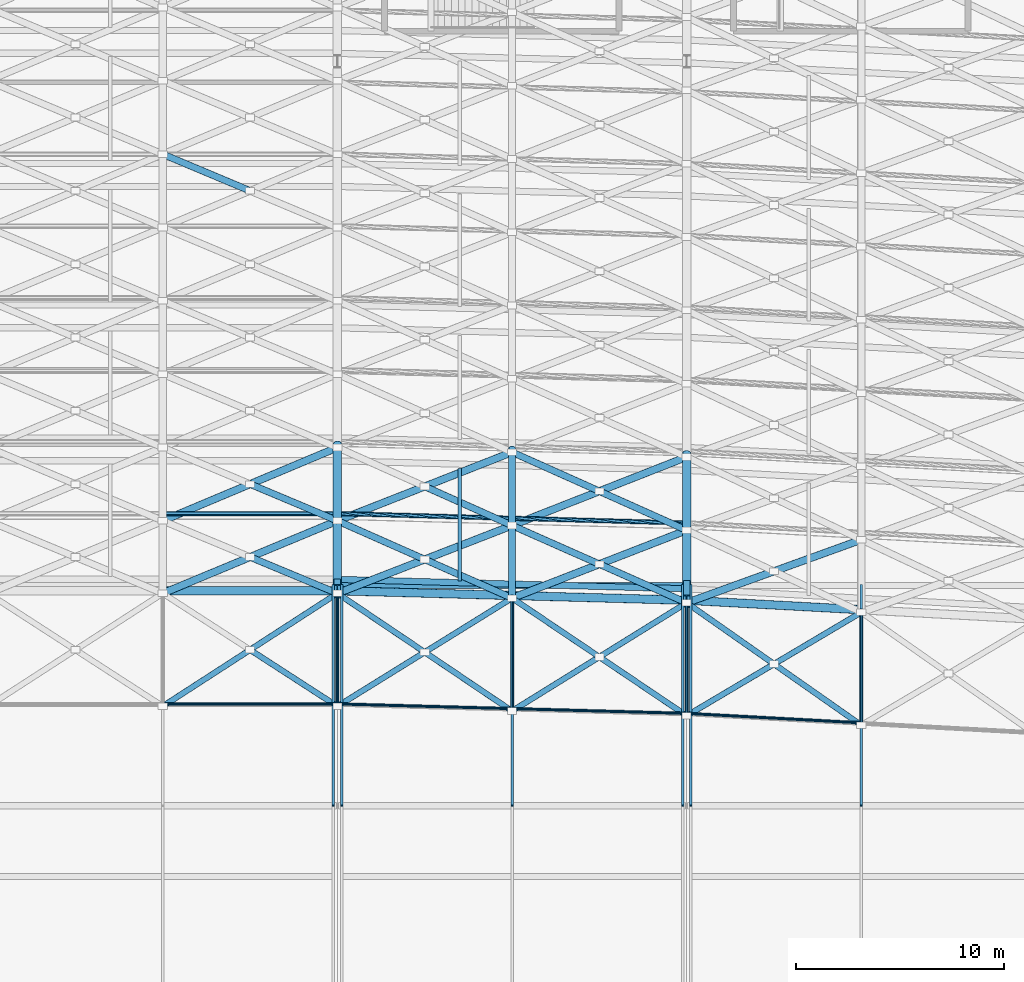
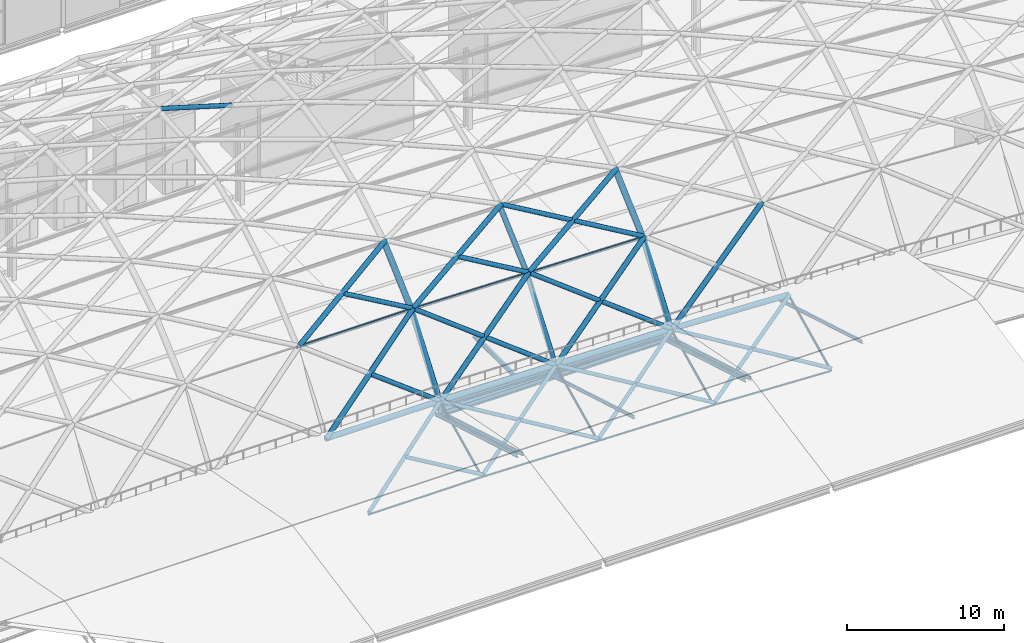
# One storey, part 20 of 100: 57 members, 3 beams.
"""IFC4 building model written with IfcOpenShell, lengths in metres."""

from ifc_helpers import new_model, si_unit, direction, frame, origin, origin_2d, place, context, subcontext, project, spatial, hollow_circle, i_section, extrude, material, material_profile, profile_set, type_object, element, save


model = new_model("IFC4")

# Units and contexts
model_context = context("Model", 3, precision=1e-05, world=origin(), true_north=direction((0.0, 1.0)))
body_context = subcontext(model_context, "Body", "Model", "MODEL_VIEW")
ifc_project = project(units=[si_unit("LENGTHUNIT", "METRE"), si_unit("AREAUNIT", "SQUARE_METRE"), si_unit("VOLUMEUNIT", "CUBIC_METRE"), si_unit("PLANEANGLEUNIT", "RADIAN"), si_unit("MASSUNIT", "GRAM", prefix="KILO")], contexts=[model_context])

# Site, building, storey
site_placement = place(None, origin())
site = spatial("IfcSite", under=ifc_project, at=site_placement, CompositionType="ELEMENT")
building_placement = place(site_placement, origin())
building = spatial("IfcBuilding", under=site, at=building_placement, Name="Kimbaza Rail Terminus", CompositionType="ELEMENT")
storey_placement = place(building_placement, frame((0.0, 0.0, 10.800048828125)))
storey = spatial("IfcBuildingStorey", under=building, at=storey_placement, Name="L02", CompositionType="ELEMENT", Elevation=10.800048828125)

# Beams
ifc_material_1 = material(Name="Steel S355", Category="steel")
ifc_material_profile_1 = material_profile(ifc_material_1, i_section(OverallWidth=0.300048828125, OverallDepth=0.43994140625, WebThickness=0.011474609375, FlangeThickness=0.02099609375, FilletRadius=0.027099609375, at=origin_2d()), Name="HEA 450")
ifc_profile_set_1 = profile_set([ifc_material_profile_1], Name="Steel S355")
beam_type_1 = type_object("IfcBeamType", Name="STR-BM-HEA450", PredefinedType="SPANDREL", material=ifc_profile_set_1)
beam_1_placement = place(storey_placement, frame((122.5458984375, 55.0, -1.179931640625), z_axis=(1.0, 0.0, 0.0), x_axis=(0.0, 1.0, 0.0)))
element("IfcBeam", 1, at=beam_1_placement, inside=storey, type_object=beam_type_1, Name="Beam BM-SKYEDGE-55-4", PredefinedType="SPANDREL", context=body_context, shape_type="SweptSolid", body=[
    extrude(i_section(OverallWidth=0.300048828125, OverallDepth=0.43994140625, WebThickness=0.011474609375, FlangeThickness=0.02099609375, FilletRadius=0.027099609375, at=origin_2d()), origin(), (0.0, 0.0, 1.0), 16.508056640625),
])
ifc_material_2 = material(Name="Steel S355", Category="steel")
ifc_material_profile_2 = material_profile(ifc_material_2, i_section(OverallWidth=0.300048828125, OverallDepth=0.64990234375, WebThickness=0.01611328125, FlangeThickness=0.031005859375, FilletRadius=0.027099609375, at=origin_2d()), Name="HEB 650")
ifc_profile_set_2 = profile_set([ifc_material_profile_2], Name="Steel S355")
beam_type_2 = type_object("IfcBeamType", Name="STR-BM-HEB650", PredefinedType="USERDEFINED", material=ifc_profile_set_2)
beam_2_placement = place(storey_placement, frame((122.544921875, 55.2890625, -0.5849609375), z_axis=(0.999632852013, -0.027095408765, 0.0), x_axis=(0.027095408765, 0.999632852013, 0.0)))
element("IfcBeam", 2, at=beam_2_placement, inside=storey, type_object=beam_type_2, Name="Viaduct Chorded Girder P1 Bay 07", ObjectType="GIRDER", PredefinedType="USERDEFINED", context=body_context, shape_type="SweptSolid", body=[
    extrude(i_section(OverallWidth=0.300048828125, OverallDepth=0.64990234375, WebThickness=0.01611328125, FlangeThickness=0.031005859375, FilletRadius=0.027099609375, at=origin_2d()), origin(), (0.0, 0.0, 1.0), 16.51611328125),
])
ifc_material_3 = material(Name="Steel S355", Category="steel")
ifc_material_profile_3 = material_profile(ifc_material_3, i_section(OverallWidth=0.169921875, OverallDepth=0.360107421875, WebThickness=0.008056640625, FlangeThickness=0.0126953125, FilletRadius=0.01806640625, at=origin_2d()), Name="IPE 360")
ifc_profile_set_3 = profile_set([ifc_material_profile_3], Name="Steel S355")
beam_type_3 = type_object("IfcBeamType", Name="STR-BM-IPE360", PredefinedType="JOIST", material=ifc_profile_set_3)
beam_3_placement = place(storey_placement, frame((128.280029296875, 55.21044921875, -0.43994140625), z_axis=(0.0, 1.0, 0.0), x_axis=(-1.0, 0.0, 0.0)))
element("IfcBeam", 3, at=beam_3_placement, inside=storey, type_object=beam_type_3, Name="Viaduct Diaphragm P1 Bay 07", PredefinedType="JOIST", context=body_context, shape_type="SweptSolid", body=[
    extrude(i_section(OverallWidth=0.169921875, OverallDepth=0.360107421875, WebThickness=0.008056640625, FlangeThickness=0.0126953125, FilletRadius=0.01806640625, at=origin_2d()), origin(), (0.0, 0.0, 1.0), 5.409912109375),
])

# Members
ifc_material_4 = material(Name="White painted steel S355", Category="steel")
ifc_material_profile_4 = material_profile(ifc_material_4, hollow_circle(Radius=0.06982421875, WallThickness=0.00634765625, at=origin_2d()), Name="CHS 139.7x6.3")
ifc_profile_set_4 = profile_set([ifc_material_profile_4], Name="White painted steel S355")
member_type_1 = type_object("IfcMemberType", Name="STR-MB-CHS139", PredefinedType="COLLAR", material=ifc_profile_set_4)
member_1_placement = place(storey_placement, frame((114.0, 49.301025390625, -2.62744140625), z_axis=(1.0, 0.0, 0.0), x_axis=(0.0, 1.0, 0.0)))
element("IfcMember", 4, at=member_1_placement, inside=storey, type_object=member_type_1, Name="Vault lattice longitudinal purlin VR-11-VA00", PredefinedType="COLLAR", context=body_context, shape_type="SweptSolid", body=[
    extrude(hollow_circle(Radius=0.06982421875, WallThickness=0.00634765625, at=origin_2d()), origin(), (0.0, 0.0, 1.0), 8.39990234375),
])
member_2_placement = place(storey_placement, frame((122.39990234375, 49.301025390625, -2.62744140625), z_axis=(0.999632548307, -0.027106611084, 0.0), x_axis=(0.027106611084, 0.999632548307, 0.0)))
element("IfcMember", 5, at=member_2_placement, inside=storey, type_object=member_type_1, Name="Vault lattice longitudinal purlin VR-12-VA00", PredefinedType="COLLAR", context=body_context, shape_type="SweptSolid", body=[
    extrude(hollow_circle(Radius=0.06982421875, WallThickness=0.00634765625, at=origin_2d()), origin(), (0.0, 0.0, 1.0), 8.4033203125),
])
member_3_placement = place(storey_placement, frame((130.800048828125, 49.0732421875, -2.62744140625), z_axis=(0.999632526959, -0.027107398351, 0.0), x_axis=(0.027107398351, 0.999632526959, 0.0)))
element("IfcMember", 6, at=member_3_placement, inside=storey, type_object=member_type_1, Name="Vault lattice longitudinal purlin VR-13-VA00", PredefinedType="COLLAR", context=body_context, shape_type="SweptSolid", body=[
    extrude(hollow_circle(Radius=0.06982421875, WallThickness=0.00634765625, at=origin_2d()), origin(), (0.0, 0.0, 1.0), 8.403076171875),
])
member_4_placement = place(storey_placement, frame((139.199951171875, 48.845458984375, -2.62744140625), z_axis=(0.998531049137, -0.054182505558, 0.0), x_axis=(0.054182505558, 0.998531049137, 0.0)))
element("IfcMember", 7, at=member_4_placement, inside=storey, type_object=member_type_1, Name="Vault lattice longitudinal purlin VR-14-VA00", PredefinedType="COLLAR", context=body_context, shape_type="SweptSolid", body=[
    extrude(hollow_circle(Radius=0.06982421875, WallThickness=0.00634765625, at=origin_2d()), origin(), (0.0, 0.0, 1.0), 8.41259765625),
])
ifc_material_5 = material(Name="White painted steel S355", Category="steel")
ifc_material_profile_5 = material_profile(ifc_material_5, hollow_circle(Radius=0.084228515625, WallThickness=0.00634765625, at=origin_2d()), Name="CHS 168.3x6.3")
ifc_profile_set_5 = profile_set([ifc_material_profile_5], Name="White painted steel S355")
member_type_2 = type_object("IfcMemberType", Name="STR-MB-CHS168", PredefinedType="RAFTER", material=ifc_profile_set_5)
for number, where, z_axis, x_axis, name in (
    (8, (122.39990234375, 49.292724609375, -2.609375), (0.0, 0.901963905621, 0.431811432174), (-1.0, 0.0, 0.0), "Vault lattice arch chord VR-12 seg 1"),
    (9, (130.800048828125, 49.06494140625, -2.609375), (0.0, 0.901963905621, 0.431811432174), (-1.0, 0.0, 0.0), "Vault lattice arch chord VR-13 seg 1"),
    (10, (139.199951171875, 48.837158203125, -2.609375), (0.0, 0.901963905621, 0.431811432174), (-1.0, 0.0, 0.0), "Vault lattice arch chord VR-14 seg 1"),
    (11, (147.60009765625, 48.38134765625, -2.609375), (0.0, 0.901963905621, 0.431811432174), (-1.0, 0.0, 0.0), "Vault lattice arch chord VR-15 seg 1"),
):
    element("IfcMember", number, at=place(storey_placement, frame(where, z_axis=z_axis, x_axis=x_axis)), inside=storey, type_object=member_type_2, Name=name, PredefinedType="RAFTER", context=body_context, shape_type="SweptSolid", body=[
        extrude(hollow_circle(Radius=0.084228515625, WallThickness=0.00634765625, at=origin_2d()), origin(), (0.0, 0.0, 1.0), 6.04296875),
    ])
ifc_material_6 = material(Name="White painted steel S355", Category="steel")
ifc_material_profile_6 = material_profile(ifc_material_6, hollow_circle(Radius=0.109619140625, WallThickness=0.008056640625, at=origin_2d()), Name="CHS 219.1x8")
ifc_profile_set_6 = profile_set([ifc_material_profile_6], Name="White painted steel S355")
member_type_3 = type_object("IfcMemberType", Name="STR-MB-CHS219", PredefinedType="PURLIN", material=ifc_profile_set_6)
member_5_placement = place(storey_placement, frame((114.0, 58.4580078125, 4.85205078125), z_axis=(1.0, 0.0, 0.0), x_axis=(0.0, 1.0, 0.0)))
element("IfcMember", 12, at=member_5_placement, inside=storey, type_object=member_type_3, Name="Vault lattice longitudinal purlin VR-11-VA02", PredefinedType="PURLIN", context=body_context, shape_type="SweptSolid", body=[
    extrude(hollow_circle(Radius=0.109619140625, WallThickness=0.008056640625, at=origin_2d()), origin(), (0.0, 0.0, 1.0), 8.39990234375),
])
member_6_placement = place(storey_placement, frame((122.39990234375, 58.4580078125, 4.85205078125), z_axis=(0.999632548307, -0.027106611084, 0.0), x_axis=(0.027106611084, 0.999632548307, 0.0)))
element("IfcMember", 13, at=member_6_placement, inside=storey, type_object=member_type_3, Name="Vault lattice longitudinal purlin VR-12-VA02", PredefinedType="PURLIN", context=body_context, shape_type="SweptSolid", body=[
    extrude(hollow_circle(Radius=0.109619140625, WallThickness=0.008056640625, at=origin_2d()), origin(), (0.0, 0.0, 1.0), 8.4033203125),
])
member_7_placement = place(storey_placement, frame((130.800048828125, 58.230224609375, 4.85205078125), z_axis=(0.999632526959, -0.027107398351, 0.0), x_axis=(0.027107398351, 0.999632526959, 0.0)))
element("IfcMember", 14, at=member_7_placement, inside=storey, type_object=member_type_3, Name="Vault lattice longitudinal purlin VR-13-VA02", PredefinedType="PURLIN", context=body_context, shape_type="SweptSolid", body=[
    extrude(hollow_circle(Radius=0.109619140625, WallThickness=0.008056640625, at=origin_2d()), origin(), (0.0, 0.0, 1.0), 8.403076171875),
])
ifc_material_7 = material(Name="White painted steel S355", Category="steel")
ifc_material_profile_7 = material_profile(ifc_material_7, hollow_circle(Radius=0.136474609375, WallThickness=0.010009765625, at=origin_2d()), Name="CHS 273x10")
ifc_profile_set_7 = profile_set([ifc_material_profile_7], Name="White painted steel S355")
member_type_4 = type_object("IfcMemberType", Name="STR-MB-CHS273", PredefinedType="STRUT", material=ifc_profile_set_7)
member_8_placement = place(storey_placement, frame((114.0, 49.185302734375, -2.37255859375), z_axis=(0.815803362822, 0.527690049398, 0.236660273334), x_axis=(-0.543118714123, 0.839655919034, 0.0)))
element("IfcMember", 15, at=member_8_placement, inside=storey, type_object=member_type_4, Name="Vault lattice diagonal A VR-11-VA00", PredefinedType="STRUT", context=body_context, shape_type="SweptSolid", body=[
    extrude(hollow_circle(Radius=0.136474609375, WallThickness=0.010009765625, at=origin_2d()), origin(), (0.0, 0.0, 1.0), 10.29638671875),
])
member_9_placement = place(storey_placement, frame((122.39990234375, 49.185302734375, -2.37255859375), z_axis=(-0.815818148035, 0.527675901481, 0.236640850938), x_axis=(-0.543101508179, -0.839667048189, 0.0)))
element("IfcMember", 16, at=member_9_placement, inside=storey, type_object=member_type_4, Name="Vault lattice diagonal B1 VR-11-VA00", PredefinedType="STRUT", context=body_context, shape_type="SweptSolid", body=[
    extrude(hollow_circle(Radius=0.136474609375, WallThickness=0.010009765625, at=origin_2d()), origin(), (0.0, 0.0, 1.0), 5.148193359375),
])
member_10_placement = place(storey_placement, frame((122.39990234375, 49.185302734375, -2.37255859375), z_axis=(0.825297852894, 0.511436650083, 0.239407616756), x_axis=(-0.526755137997, 0.850017073119, 0.0)))
element("IfcMember", 17, at=member_10_placement, inside=storey, type_object=member_type_4, Name="Vault lattice diagonal A VR-12-VA00", PredefinedType="STRUT", context=body_context, shape_type="SweptSolid", body=[
    extrude(hollow_circle(Radius=0.136474609375, WallThickness=0.010009765625, at=origin_2d()), origin(), (0.0, 0.0, 1.0), 10.17822265625),
])
member_11_placement = place(storey_placement, frame((130.800048828125, 48.95751953125, -2.37255859375), z_axis=(-0.806255082297, 0.543377400695, 0.233866933713), x_axis=(-0.5588758014, -0.829251372389, 0.0)))
element("IfcMember", 18, at=member_11_placement, inside=storey, type_object=member_type_4, Name="Vault lattice diagonal B1 VR-12-VA00", PredefinedType="STRUT", context=body_context, shape_type="SweptSolid", body=[
    extrude(hollow_circle(Radius=0.136474609375, WallThickness=0.010009765625, at=origin_2d()), origin(), (0.0, 0.0, 1.0), 5.209228515625),
])
member_12_placement = place(storey_placement, frame((126.60009765625, 51.7880859375, -1.154296875), z_axis=(-0.806262645297, 0.543350913135, 0.233902398435), x_axis=(-0.558853462072, -0.829266427591, 0.0)))
element("IfcMember", 19, at=member_12_placement, inside=storey, type_object=member_type_4, Name="Vault lattice diagonal B2 VR-12-VA00", PredefinedType="STRUT", context=body_context, shape_type="SweptSolid", body=[
    extrude(hollow_circle(Radius=0.136474609375, WallThickness=0.010009765625, at=origin_2d()), origin(), (0.0, 0.0, 1.0), 5.20947265625),
])
member_13_placement = place(storey_placement, frame((130.800048828125, 48.95751953125, -2.37255859375), z_axis=(0.825280079129, 0.511464486638, 0.23940941899), x_axis=(-0.52678404942, 0.849999156045, 0.0)))
element("IfcMember", 20, at=member_13_placement, inside=storey, type_object=member_type_4, Name="Vault lattice diagonal A VR-13-VA00", PredefinedType="STRUT", context=body_context, shape_type="SweptSolid", body=[
    extrude(hollow_circle(Radius=0.136474609375, WallThickness=0.010009765625, at=origin_2d()), origin(), (0.0, 0.0, 1.0), 10.17822265625),
])
for number, where, z_axis, x_axis, name in (
    (21, (139.199951171875, 48.729736328125, -2.37255859375), (-0.806255082297, 0.543377400695, 0.233866933713), (-0.5588758014, -0.829251372389, 0.0), "Vault lattice diagonal B1 VR-13-VA00"),
    (22, (135.0, 51.560302734375, -1.154296875), (-0.806246244461, 0.543371444416, 0.233911236767), (-0.5588758014, -0.829251372389, 0.0), "Vault lattice diagonal B2 VR-13-VA00"),
):
    element("IfcMember", number, at=place(storey_placement, frame(where, z_axis=z_axis, x_axis=x_axis)), inside=storey, type_object=member_type_4, Name=name, PredefinedType="STRUT", context=body_context, shape_type="SweptSolid", body=[
        extrude(hollow_circle(Radius=0.136474609375, WallThickness=0.010009765625, at=origin_2d()), origin(), (0.0, 0.0, 1.0), 5.209228515625),
    ])
member_14_placement = place(storey_placement, frame((139.199951171875, 48.729736328125, -2.37255859375), z_axis=(0.834705311584, 0.494607838305, 0.242136591825), x_axis=(-0.50977771628, 0.860306154799, 0.0)))
element("IfcMember", 23, at=member_14_placement, inside=storey, type_object=member_type_4, Name="Vault lattice diagonal A VR-14-VA00", PredefinedType="STRUT", context=body_context, shape_type="SweptSolid", body=[
    extrude(hollow_circle(Radius=0.136474609375, WallThickness=0.010009765625, at=origin_2d()), origin(), (0.0, 0.0, 1.0), 10.063720703125),
])
for number, where, z_axis, x_axis, name in (
    (24, (147.60009765625, 48.27392578125, -2.37255859375), (-0.79666468881, 0.558508068574, 0.231071657589), (-0.574043561983, -0.818824760829, 0.0), "Vault lattice diagonal B1 VR-14-VA00"),
    (25, (143.39990234375, 51.218505859375, -1.154296875), (-0.79661864066, 0.558554556975, 0.231118039617), (-0.574097844194, -0.818786703172, 0.0), "Vault lattice diagonal B2 VR-14-VA00"),
):
    element("IfcMember", number, at=place(storey_placement, frame(where, z_axis=z_axis, x_axis=x_axis)), inside=storey, type_object=member_type_4, Name=name, PredefinedType="STRUT", context=body_context, shape_type="SweptSolid", body=[
        extrude(hollow_circle(Radius=0.136474609375, WallThickness=0.010009765625, at=origin_2d()), origin(), (0.0, 0.0, 1.0), 5.272216796875),
    ])
ifc_material_8 = material(Name="White painted steel S355", Category="steel")
ifc_material_profile_8 = material_profile(ifc_material_8, hollow_circle(Radius=0.161865234375, WallThickness=0.010009765625, at=origin_2d()), Name="CHS 323.9x10")
ifc_profile_set_8 = profile_set([ifc_material_profile_8], Name="White painted steel S355")
member_type_5 = type_object("IfcMemberType", Name="STR-MB-CHS323", PredefinedType="STRUT", material=ifc_profile_set_8)
member_15_placement = place(storey_placement, frame((122.39990234375, 54.61865234375, 0.064208984375), z_axis=(-0.805330579111, 0.334715668235, 0.489293449565), x_axis=(-0.383795774212, -0.923418000527, 0.0)))
element("IfcMember", 26, at=member_15_placement, inside=storey, type_object=member_type_5, Name="Vault lattice diagonal B1 VR-11-VA01", PredefinedType="STRUT", context=body_context, shape_type="SweptSolid", body=[
    extrude(hollow_circle(Radius=0.161865234375, WallThickness=0.010009765625, at=origin_2d()), origin(), (0.0, 0.0, 1.0), 5.215087890625),
])
member_16_placement = place(storey_placement, frame((122.39990234375, 58.10986328125, 5.167724609375), z_axis=(-0.870455373768, 0.365426304095, 0.329804576308), x_axis=(-0.38708395067, -0.922044475681, 0.0)))
element("IfcMember", 27, at=member_16_placement, inside=storey, type_object=member_type_5, Name="Vault lattice diagonal B1 VR-11-VA02", PredefinedType="STRUT", context=body_context, shape_type="SweptSolid", body=[
    extrude(hollow_circle(Radius=0.161865234375, WallThickness=0.010009765625, at=origin_2d()), origin(), (0.0, 0.0, 1.0), 4.824951171875),
])
member_17_placement = place(storey_placement, frame((118.199951171875, 73.979736328125, 12.8486328125), z_axis=(-0.921642270206, 0.386968675097, 0.028823085588), x_axis=(-0.387129516355, -0.922025345404, 0.0)))
element("IfcMember", 28, at=member_17_placement, inside=storey, type_object=member_type_5, Name="Vault lattice diagonal B2 VR-11-VA06", PredefinedType="STRUT", context=body_context, shape_type="SweptSolid", body=[
    extrude(hollow_circle(Radius=0.161865234375, WallThickness=0.010009765625, at=origin_2d()), origin(), (0.0, 0.0, 1.0), 4.55712890625),
])
member_18_placement = place(storey_placement, frame((130.800048828125, 54.390869140625, 0.064208984375), z_axis=(-0.799326382946, 0.353872564815, 0.485645489423), x_axis=(-0.40481632977, -0.914398020094, 0.0)))
element("IfcMember", 29, at=member_18_placement, inside=storey, type_object=member_type_5, Name="Vault lattice diagonal B1 VR-12-VA01", PredefinedType="STRUT", context=body_context, shape_type="SweptSolid", body=[
    extrude(hollow_circle(Radius=0.161865234375, WallThickness=0.010009765625, at=origin_2d()), origin(), (0.0, 0.0, 1.0), 5.25439453125),
])
member_19_placement = place(storey_placement, frame((126.60009765625, 56.250244140625, 2.615966796875), z_axis=(-0.799330016507, 0.353900066015, 0.485619468294), x_axis=(-0.404841095271, -0.914387055671, 0.0)))
element("IfcMember", 30, at=member_19_placement, inside=storey, type_object=member_type_5, Name="Vault lattice diagonal B2 VR-12-VA01", PredefinedType="STRUT", context=body_context, shape_type="SweptSolid", body=[
    extrude(hollow_circle(Radius=0.161865234375, WallThickness=0.010009765625, at=origin_2d()), origin(), (0.0, 0.0, 1.0), 5.254638671875),
])
member_20_placement = place(storey_placement, frame((130.800048828125, 57.882080078125, 5.167724609375), z_axis=(-0.862798267036, 0.385633661294, 0.326903395021), x_axis=(-0.408053007434, -0.912958237338, 0.0)))
element("IfcMember", 31, at=member_20_placement, inside=storey, type_object=member_type_5, Name="Vault lattice diagonal B1 VR-12-VA02", PredefinedType="STRUT", context=body_context, shape_type="SweptSolid", body=[
    extrude(hollow_circle(Radius=0.161865234375, WallThickness=0.010009765625, at=origin_2d()), origin(), (0.0, 0.0, 1.0), 4.867919921875),
])
for number, where, z_axis, x_axis, name in (
    (32, (139.199951171875, 54.163330078125, 0.064208984375), (-0.799326382946, 0.353872564815, 0.485645489423), (-0.40481632977, -0.914398020094, 0.0), "Vault lattice diagonal B1 VR-13-VA01"),
    (33, (135.0, 56.022705078125, 2.615966796875), (-0.799326382946, 0.353872564815, 0.485645489423), (-0.40481632977, -0.914398020094, 0.0), "Vault lattice diagonal B2 VR-13-VA01"),
):
    element("IfcMember", number, at=place(storey_placement, frame(where, z_axis=z_axis, x_axis=x_axis)), inside=storey, type_object=member_type_5, Name=name, PredefinedType="STRUT", context=body_context, shape_type="SweptSolid", body=[
        extrude(hollow_circle(Radius=0.161865234375, WallThickness=0.010009765625, at=origin_2d()), origin(), (0.0, 0.0, 1.0), 5.25439453125),
    ])
for number, where, z_axis, x_axis, name in (
    (34, (139.199951171875, 57.654296875, 5.167724609375), (-0.862798267036, 0.385633661294, 0.326903395021), (-0.408053007434, -0.912958237338, 0.0), "Vault lattice diagonal B1 VR-13-VA02"),
    (35, (135.0, 59.531494140625, 6.759033203125), (-0.862798267036, 0.385633661294, 0.326903395021), (-0.408053007434, -0.912958237338, 0.0), "Vault lattice diagonal B2 VR-13-VA02"),
):
    element("IfcMember", number, at=place(storey_placement, frame(where, z_axis=z_axis, x_axis=x_axis)), inside=storey, type_object=member_type_5, Name=name, PredefinedType="STRUT", context=body_context, shape_type="SweptSolid", body=[
        extrude(hollow_circle(Radius=0.161865234375, WallThickness=0.010009765625, at=origin_2d()), origin(), (0.0, 0.0, 1.0), 4.867919921875),
    ])
ifc_material_9 = material(Name="White painted steel S355", Category="steel")
ifc_material_profile_9 = material_profile(ifc_material_9, hollow_circle(Radius=0.177734375, WallThickness=0.012451171875, at=origin_2d()), Name="CHS 355.6x12.5")
ifc_profile_set_9 = profile_set([ifc_material_profile_9], Name="White painted steel S355")
member_type_6 = type_object("IfcMemberType", Name="STR-MB-CHS355", PredefinedType="CHORD", material=ifc_profile_set_9)
member_21_placement = place(storey_placement, frame((130.800048828125, 54.515380859375, 0.0), z_axis=(0.0, 0.585733481953, 0.810503724926), x_axis=(-1.0, 0.0, 0.0)))
element("IfcMember", 36, at=member_21_placement, inside=storey, type_object=member_type_6, Name="Vault lattice arch chord VR-13 seg 2", PredefinedType="CHORD", context=body_context, shape_type="SweptSolid", body=[
    extrude(hollow_circle(Radius=0.177734375, WallThickness=0.012451171875, at=origin_2d()), origin(), (0.0, 0.0, 1.0), 6.127197265625),
])
member_22_placement = place(storey_placement, frame((130.800048828125, 58.104248046875, 4.966064453125), z_axis=(0.0, 0.742379857618, 0.669979213859), x_axis=(-1.0, 0.0, 0.0)))
element("IfcMember", 37, at=member_22_placement, inside=storey, type_object=member_type_6, Name="Vault lattice arch chord VR-13 seg 3", PredefinedType="CHORD", context=body_context, shape_type="SweptSolid", body=[
    extrude(hollow_circle(Radius=0.177734375, WallThickness=0.012451171875, at=origin_2d()), origin(), (0.0, 0.0, 1.0), 4.690673828125),
])
member_23_placement = place(storey_placement, frame((114.0, 54.61865234375, 0.064208984375), z_axis=(0.805330579111, 0.334715668235, 0.489293449565), x_axis=(-0.383795774212, 0.923418000527, 0.0)))
element("IfcMember", 38, at=member_23_placement, inside=storey, type_object=member_type_6, Name="Vault lattice diagonal A VR-11-VA01", PredefinedType="CHORD", context=body_context, shape_type="SweptSolid", body=[
    extrude(hollow_circle(Radius=0.177734375, WallThickness=0.012451171875, at=origin_2d()), origin(), (0.0, 0.0, 1.0), 10.430419921875),
])
member_24_placement = place(storey_placement, frame((114.0, 58.10986328125, 5.167724609375), z_axis=(0.870447326145, 0.365448224907, 0.329801527164), x_axis=(-0.387106733867, 0.922034910725, 0.0)))
element("IfcMember", 39, at=member_24_placement, inside=storey, type_object=member_type_6, Name="Vault lattice diagonal A VR-11-VA02", PredefinedType="CHORD", context=body_context, shape_type="SweptSolid", body=[
    extrude(hollow_circle(Radius=0.177734375, WallThickness=0.012451171875, at=origin_2d()), origin(), (0.0, 0.0, 1.0), 9.650146484375),
])
member_25_placement = place(storey_placement, frame((122.39990234375, 54.61865234375, 0.064208984375), z_axis=(0.811094429012, 0.315107368635, 0.492781060368), x_axis=(-0.362128553593, 0.93212816215, 0.0)))
element("IfcMember", 40, at=member_25_placement, inside=storey, type_object=member_type_6, Name="Vault lattice diagonal A VR-12-VA01", PredefinedType="CHORD", context=body_context, shape_type="SweptSolid", body=[
    extrude(hollow_circle(Radius=0.177734375, WallThickness=0.012451171875, at=origin_2d()), origin(), (0.0, 0.0, 1.0), 10.3564453125),
])
member_26_placement = place(storey_placement, frame((122.39990234375, 58.10986328125, 5.167724609375), z_axis=(0.877811545172, 0.34472606151, 0.332582070592), x_axis=(-0.365534354506, 0.930797848985, 0.0)))
element("IfcMember", 41, at=member_26_placement, inside=storey, type_object=member_type_6, Name="Vault lattice diagonal A VR-12-VA02", PredefinedType="CHORD", context=body_context, shape_type="SweptSolid", body=[
    extrude(hollow_circle(Radius=0.177734375, WallThickness=0.012451171875, at=origin_2d()), origin(), (0.0, 0.0, 1.0), 9.5693359375),
])
member_27_placement = place(storey_placement, frame((130.800048828125, 54.390869140625, 0.064208984375), z_axis=(0.811086363668, 0.315113393686, 0.492790482652), x_axis=(-0.362137698459, 0.932124609349, 0.0)))
element("IfcMember", 42, at=member_27_placement, inside=storey, type_object=member_type_6, Name="Vault lattice diagonal A VR-13-VA01", PredefinedType="CHORD", context=body_context, shape_type="SweptSolid", body=[
    extrude(hollow_circle(Radius=0.177734375, WallThickness=0.012451171875, at=origin_2d()), origin(), (0.0, 0.0, 1.0), 10.3564453125),
])
member_28_placement = place(storey_placement, frame((130.800048828125, 57.882080078125, 5.167724609375), z_axis=(0.877805691192, 0.34473378188, 0.33258951899), x_axis=(-0.365543559049, 0.93079423421, 0.0)))
element("IfcMember", 43, at=member_28_placement, inside=storey, type_object=member_type_6, Name="Vault lattice diagonal A VR-13-VA02", PredefinedType="CHORD", context=body_context, shape_type="SweptSolid", body=[
    extrude(hollow_circle(Radius=0.177734375, WallThickness=0.012451171875, at=origin_2d()), origin(), (0.0, 0.0, 1.0), 9.569091796875),
])
member_29_placement = place(storey_placement, frame((139.199951171875, 54.163330078125, 0.064208984375), z_axis=(0.816586023268, 0.295050351419, 0.496117482791), x_axis=(-0.339819770435, 0.940490576041, 0.0)))
element("IfcMember", 44, at=member_29_placement, inside=storey, type_object=member_type_6, Name="Vault lattice diagonal A VR-14-VA01", PredefinedType="CHORD", context=body_context, shape_type="SweptSolid", body=[
    extrude(hollow_circle(Radius=0.177734375, WallThickness=0.012451171875, at=origin_2d()), origin(), (0.0, 0.0, 1.0), 10.286865234375),
])
ifc_material_10 = material(Name="White painted steel S355", Category="steel")
ifc_material_profile_10 = material_profile(ifc_material_10, hollow_circle(Radius=0.203125, WallThickness=0.01416015625, at=origin_2d()), Name="CHS 406.4x14.2")
ifc_profile_set_10 = profile_set([ifc_material_profile_10], Name="White painted steel S355")
member_type_7 = type_object("IfcMemberType", Name="STR-MB-CHS406", PredefinedType="CHORD", material=ifc_profile_set_10)
member_30_placement = place(storey_placement, frame((122.39990234375, 54.7431640625, 0.0), z_axis=(0.0, 0.585733481953, 0.810503724926), x_axis=(-1.0, 0.0, 0.0)))
element("IfcMember", 45, at=member_30_placement, inside=storey, type_object=member_type_7, Name="Vault lattice arch chord VR-12 seg 2", PredefinedType="CHORD", context=body_context, shape_type="SweptSolid", body=[
    extrude(hollow_circle(Radius=0.203125, WallThickness=0.01416015625, at=origin_2d()), origin(), (0.0, 0.0, 1.0), 6.127197265625),
])
member_31_placement = place(storey_placement, frame((122.39990234375, 58.33203125, 4.966064453125), z_axis=(0.0, 0.742379857618, 0.669979213859), x_axis=(-1.0, 0.0, 0.0)))
element("IfcMember", 46, at=member_31_placement, inside=storey, type_object=member_type_7, Name="Vault lattice arch chord VR-12 seg 3", PredefinedType="CHORD", context=body_context, shape_type="SweptSolid", body=[
    extrude(hollow_circle(Radius=0.203125, WallThickness=0.01416015625, at=origin_2d()), origin(), (0.0, 0.0, 1.0), 4.690673828125),
])
member_32_placement = place(storey_placement, frame((139.199951171875, 54.28759765625, 0.0), z_axis=(0.0, 0.585733481953, 0.810503724926), x_axis=(-1.0, 0.0, 0.0)))
element("IfcMember", 47, at=member_32_placement, inside=storey, type_object=member_type_7, Name="Vault lattice arch chord VR-14 seg 2", PredefinedType="CHORD", context=body_context, shape_type="SweptSolid", body=[
    extrude(hollow_circle(Radius=0.203125, WallThickness=0.01416015625, at=origin_2d()), origin(), (0.0, 0.0, 1.0), 6.127197265625),
])
member_33_placement = place(storey_placement, frame((139.199951171875, 57.87646484375, 4.966064453125), z_axis=(0.0, 0.742403219767, 0.669953326195), x_axis=(-1.0, 0.0, 0.0)))
element("IfcMember", 48, at=member_33_placement, inside=storey, type_object=member_type_7, Name="Vault lattice arch chord VR-14 seg 3", PredefinedType="CHORD", context=body_context, shape_type="SweptSolid", body=[
    extrude(hollow_circle(Radius=0.203125, WallThickness=0.01416015625, at=origin_2d()), origin(), (0.0, 0.0, 1.0), 4.690673828125),
])
member_34_placement = place(storey_placement, frame((114.0, 54.7431640625, 0.0), z_axis=(1.0, 0.0, 0.0), x_axis=(0.0, 1.0, 0.0)))
element("IfcMember", 49, at=member_34_placement, inside=storey, type_object=member_type_7, Name="Vault lattice springing ring chord VR-11", PredefinedType="CHORD", context=body_context, shape_type="SweptSolid", body=[
    extrude(hollow_circle(Radius=0.203125, WallThickness=0.01416015625, at=origin_2d()), origin(), (0.0, 0.0, 1.0), 8.39990234375),
])
member_35_placement = place(storey_placement, frame((122.39990234375, 54.7431640625, 0.0), z_axis=(0.999632548307, -0.027106611084, 0.0), x_axis=(0.027106611084, 0.999632548307, 0.0)))
element("IfcMember", 50, at=member_35_placement, inside=storey, type_object=member_type_7, Name="Vault lattice springing ring chord VR-12", PredefinedType="CHORD", context=body_context, shape_type="SweptSolid", body=[
    extrude(hollow_circle(Radius=0.203125, WallThickness=0.01416015625, at=origin_2d()), origin(), (0.0, 0.0, 1.0), 8.4033203125),
])
member_36_placement = place(storey_placement, frame((130.800048828125, 54.515380859375, 0.0), z_axis=(0.999632526959, -0.027107398351, 0.0), x_axis=(0.027107398351, 0.999632526959, 0.0)))
element("IfcMember", 51, at=member_36_placement, inside=storey, type_object=member_type_7, Name="Vault lattice springing ring chord VR-13", PredefinedType="CHORD", context=body_context, shape_type="SweptSolid", body=[
    extrude(hollow_circle(Radius=0.203125, WallThickness=0.01416015625, at=origin_2d()), origin(), (0.0, 0.0, 1.0), 8.403076171875),
])
member_37_placement = place(storey_placement, frame((139.199951171875, 54.28759765625, 0.0), z_axis=(0.998531049137, -0.054182505558, 0.0), x_axis=(0.054182505558, 0.998531049137, 0.0)))
element("IfcMember", 52, at=member_37_placement, inside=storey, type_object=member_type_7, Name="Vault lattice springing ring chord VR-14", PredefinedType="CHORD", context=body_context, shape_type="SweptSolid", body=[
    extrude(hollow_circle(Radius=0.203125, WallThickness=0.01416015625, at=origin_2d()), origin(), (0.0, 0.0, 1.0), 8.41259765625),
])
ifc_material_11 = material(Name="Steel S355", Category="steel")
ifc_material_profile_11 = material_profile(ifc_material_11, i_section(OverallWidth=0.304931640625, OverallDepth=0.6201171875, WebThickness=0.02099609375, FlangeThickness=0.0400390625, FilletRadius=0.027099609375, at=origin_2d()), Name="HEM 600")
ifc_profile_set_11 = profile_set([ifc_material_profile_11], Name="Steel S355")
member_type_8 = type_object("IfcMemberType", Name="STR-MB-HEM600", PredefinedType="POST", material=ifc_profile_set_11)
member_38_placement = place(storey_placement, frame((122.39990234375, 55.0, -0.900146484375), z_axis=(0.0, -0.274376638557, 0.961622306425), x_axis=(1.0, 0.0, 0.0)))
element("IfcMember", 53, at=member_38_placement, inside=storey, type_object=member_type_8, Name="Vault Springing Shoe Pedestal S VP-07", PredefinedType="POST", context=body_context, shape_type="SweptSolid", body=[
    extrude(i_section(OverallWidth=0.304931640625, OverallDepth=0.6201171875, WebThickness=0.02099609375, FlangeThickness=0.0400390625, FilletRadius=0.027099609375, at=origin_2d()), origin(), (0.0, 0.0, 1.0), 0.93603515625),
])
member_39_placement = place(storey_placement, frame((139.199951171875, 55.0, -0.900146484375), z_axis=(0.0, -0.620588542135, 0.784136379319), x_axis=(1.0, 0.0, 0.0)))
element("IfcMember", 54, at=member_39_placement, inside=storey, type_object=member_type_8, Name="Vault Springing Shoe Pedestal S VP-08", PredefinedType="POST", context=body_context, shape_type="SweptSolid", body=[
    extrude(i_section(OverallWidth=0.304931640625, OverallDepth=0.6201171875, WebThickness=0.02099609375, FlangeThickness=0.0400390625, FilletRadius=0.027099609375, at=origin_2d()), origin(), (0.0, 0.0, 1.0), 1.14794921875),
])
ifc_material_12 = material(Name="Steel S355", Category="steel")
ifc_material_profile_12 = material_profile(ifc_material_12, i_section(OverallWidth=0.1201171875, OverallDepth=0.239990234375, WebThickness=0.006103515625, FlangeThickness=0.009765625, FilletRadius=0.014892578125, at=origin_2d()), Name="IPE 240")
ifc_profile_set_12 = profile_set([ifc_material_profile_12], Name="Steel S355")
member_type_9 = type_object("IfcMemberType", Name="STR-MB-IPE240", PredefinedType="PURLIN", material=ifc_profile_set_12)
for number, where, z_axis, x_axis, name in (
    (55, (122.199951171875, 44.39990234375, 2.050048828125), (0.0, 0.959059986523, -0.283203005371), (-1.0, 0.0, 0.0), "Concourse Roof Rafter N4"),
    (56, (122.60009765625, 44.39990234375, 2.050048828125), (0.0, 0.959059986523, -0.283203005371), (-1.0, 0.0, 0.0), "Concourse Roof Rafter N5"),
    (57, (130.800048828125, 44.39990234375, 2.050048828125), (0.0, 0.959059986523, -0.283203005371), (-1.0, 0.0, 0.0), "Concourse Roof Rafter N5"),
    (58, (139.0, 44.39990234375, 2.050048828125), (0.0, 0.959059986523, -0.283203005371), (-1.0, 0.0, 0.0), "Concourse Roof Rafter N5"),
    (59, (139.39990234375, 44.39990234375, 2.050048828125), (0.0, 0.959059986523, -0.283203005371), (-1.0, 0.0, 0.0), "Concourse Roof Rafter N6"),
    (60, (147.60009765625, 44.39990234375, 2.050048828125), (0.0, 0.959059986523, -0.283203005371), (-1.0, 0.0, 0.0), "Concourse Roof Rafter N6"),
):
    element("IfcMember", number, at=place(storey_placement, frame(where, z_axis=z_axis, x_axis=x_axis)), inside=storey, type_object=member_type_9, Name=name, PredefinedType="PURLIN", context=body_context, shape_type="SweptSolid", body=[
        extrude(i_section(OverallWidth=0.1201171875, OverallDepth=0.239990234375, WebThickness=0.006103515625, FlangeThickness=0.009765625, FilletRadius=0.014892578125, at=origin_2d()), origin(), (0.0, 0.0, 1.0), 11.052490234375),
    ])

save(model, "model.ifc")
